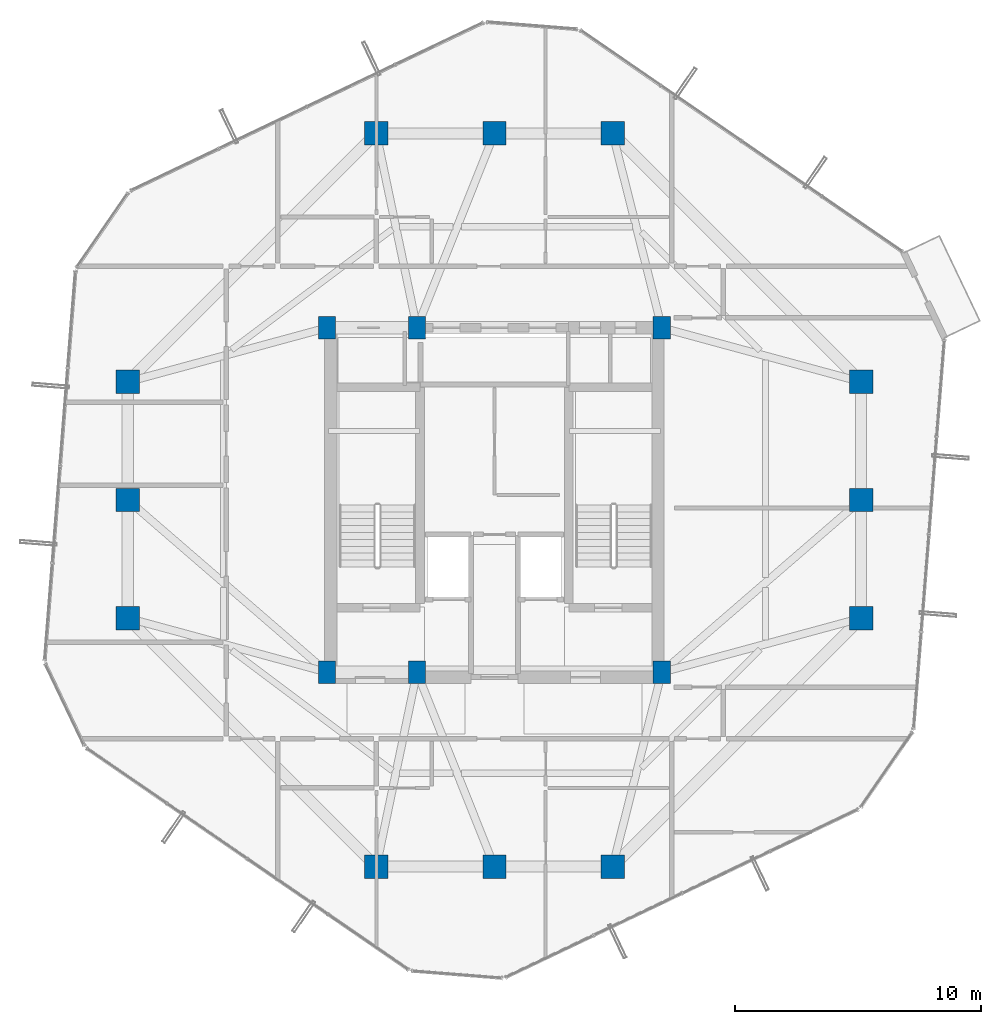
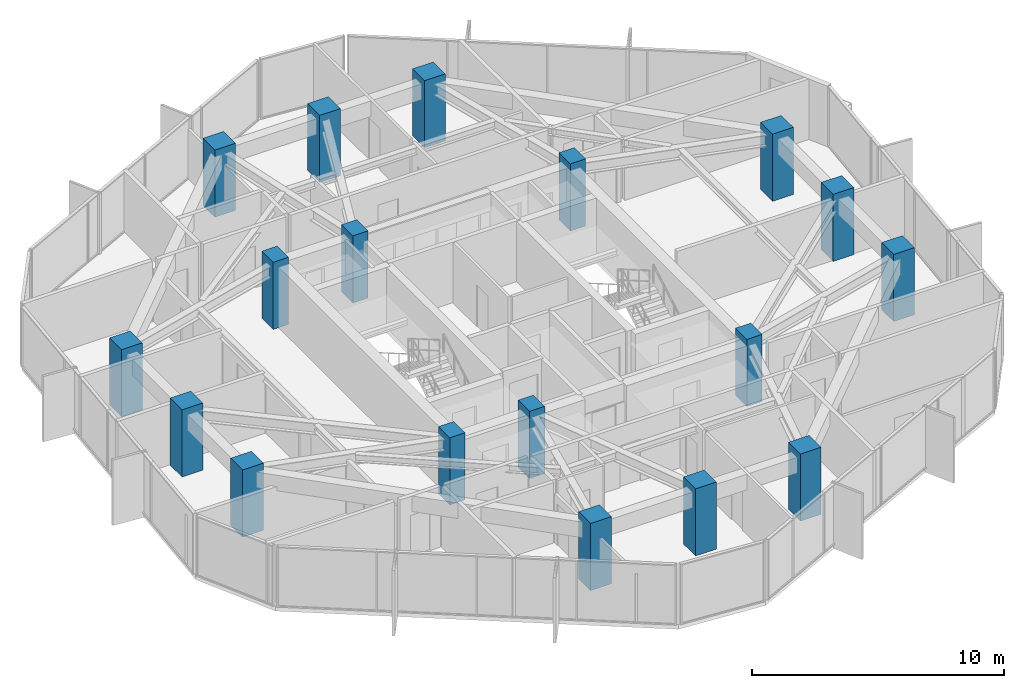
# One storey, part 1 of 29: 18 columns.
"""IFC4 building model written with IfcOpenShell, lengths in metres."""

from ifc_helpers import new_model, si_unit, direction, frame, origin, origin_2d, place, context, subcontext, project, spatial, rectangle, extrude, material, material_profile, profile_set, type_object, element, save


model = new_model("IFC4")

# Units and contexts
model_context = context("Model", 3, precision=1e-05, world=origin(), true_north=direction((0.0, 1.0)))
body_context = subcontext(model_context, "Body", "Model", "MODEL_VIEW")
ifc_project = project(units=[si_unit("LENGTHUNIT", "METRE"), si_unit("AREAUNIT", "SQUARE_METRE"), si_unit("VOLUMEUNIT", "CUBIC_METRE"), si_unit("PLANEANGLEUNIT", "RADIAN"), si_unit("MASSUNIT", "GRAM", prefix="KILO")], contexts=[model_context])

# Site, building, storey
site_placement = place(None, origin())
site = spatial("IfcSite", under=ifc_project, at=site_placement, CompositionType="ELEMENT")
building_placement = place(site_placement, origin())
building = spatial("IfcBuilding", under=site, at=building_placement, Name="Veraguas Prism Commons", CompositionType="ELEMENT")
storey_placement = place(building_placement, frame((0.0, 0.0, 222.14990234375)))
storey = spatial("IfcBuildingStorey", under=building, at=storey_placement, Name="L63", CompositionType="ELEMENT", Elevation=222.14990234375)

# Columns
ifc_material = material(Name="Concrete C50/60", Category="concrete")
ifc_material_profile_1 = material_profile(ifc_material, rectangle(XDim=0.949951171875, YDim=0.949951171875, at=origin_2d()), Name="RC950X950")
ifc_profile_set_1 = profile_set([ifc_material_profile_1], Name="Concrete C50/60")
column_type_1 = type_object("IfcColumnType", Name="Column Tube Z3 RC 950x950", PredefinedType="COLUMN", material=ifc_profile_set_1)
for number, where, z_axis, x_axis, name in (
    (1, (38.89990234375, 19.199951171875, 0.0), (0.0, 0.0, 1.0), (1.0, 0.0, 0.0), "Tower Perimeter Column L63-TB01"),
    (2, (38.89990234375, 24.0, 0.0), (0.0, 0.0, 1.0), (1.0, 0.0, 0.0), "Tower Perimeter Column L63-TB02"),
    (3, (38.89990234375, 28.800048828125, 0.0), (0.0, 0.0, 1.0), (1.0, 0.0, 0.0), "Tower Perimeter Column L63-TB03"),
    (4, (28.800048828125, 38.89990234375, 0.0), (0.0, 0.0, 1.0), (1.0, 0.0, 0.0), "Tower Perimeter Column L63-TB04"),
    (5, (24.0, 38.89990234375, 0.0), (0.0, 0.0, 1.0), (1.0, 0.0, 0.0), "Tower Perimeter Column L63-TB05"),
    (6, (19.199951171875, 38.89990234375, 0.0), (0.0, 0.0, 1.0), (1.0, 0.0, 0.0), "Tower Perimeter Column L63-TB06"),
    (7, (9.10009765625, 28.800048828125, 0.0), (0.0, 0.0, 1.0), (1.0, 0.0, 0.0), "Tower Perimeter Column L63-TB07"),
    (8, (9.10009765625, 24.0, 0.0), (0.0, 0.0, 1.0), (1.0, 0.0, 0.0), "Tower Perimeter Column L63-TB08"),
    (9, (9.10009765625, 19.199951171875, 0.0), (0.0, 0.0, 1.0), (1.0, 0.0, 0.0), "Tower Perimeter Column L63-TB09"),
    (10, (19.199951171875, 9.10009765625, 0.0), (0.0, 0.0, 1.0), (1.0, 0.0, 0.0), "Tower Perimeter Column L63-TB10"),
    (11, (24.0, 9.10009765625, 0.0), (0.0, 0.0, 1.0), (1.0, 0.0, 0.0), "Tower Perimeter Column L63-TB11"),
    (12, (28.800048828125, 9.10009765625, 0.0), (0.0, 0.0, 1.0), (1.0, 0.0, 0.0), "Tower Perimeter Column L63-TB12"),
):
    element("IfcColumn", number, at=place(storey_placement, frame(where, z_axis=z_axis, x_axis=x_axis)), inside=storey, type_object=column_type_1, Name=name, PredefinedType="COLUMN", context=body_context, shape_type="SweptSolid", body=[
        extrude(rectangle(XDim=0.949951171875, YDim=0.949951171875, at=origin_2d()), origin(), (0.0, 0.0, 1.0), 3.25),
    ])
ifc_material_profile_2 = material_profile(ifc_material, rectangle(XDim=0.699951171875, YDim=0.89990234375, at=origin_2d()), Name="RC700X900")
ifc_profile_set_2 = profile_set([ifc_material_profile_2], Name="Concrete C50/60")
column_type_2 = type_object("IfcColumnType", Name="Pilaster Core Upper RC 700x900", PredefinedType="PILASTER", material=ifc_profile_set_2)
for number, where, z_axis, x_axis, name in (
    (13, (17.199951171875, 17.0, 0.0), (0.0, 0.0, 1.0), (1.0, 0.0, 0.0), "Core Pilaster Column L63-CR1"),
    (14, (20.85009765625, 17.0, 0.0), (0.0, 0.0, 1.0), (1.0, 0.0, 0.0), "Core Pilaster Column L63-CR2"),
    (15, (30.800048828125, 17.0, 0.0), (0.0, 0.0, 1.0), (1.0, 0.0, 0.0), "Core Pilaster Column L63-CR3"),
    (16, (17.199951171875, 31.0, 0.0), (0.0, 0.0, 1.0), (1.0, 0.0, 0.0), "Core Pilaster Column L63-CR4"),
    (17, (20.85009765625, 31.0, 0.0), (0.0, 0.0, 1.0), (1.0, 0.0, 0.0), "Core Pilaster Column L63-CR5"),
    (18, (30.800048828125, 31.0, 0.0), (0.0, 0.0, 1.0), (1.0, 0.0, 0.0), "Core Pilaster Column L63-CR6"),
):
    element("IfcColumn", number, at=place(storey_placement, frame(where, z_axis=z_axis, x_axis=x_axis)), inside=storey, type_object=column_type_2, Name=name, PredefinedType="PILASTER", context=body_context, shape_type="SweptSolid", body=[
        extrude(rectangle(XDim=0.699951171875, YDim=0.89990234375, at=origin_2d()), origin(), (0.0, 0.0, 1.0), 3.25),
    ])

save(model, "model.ifc")
